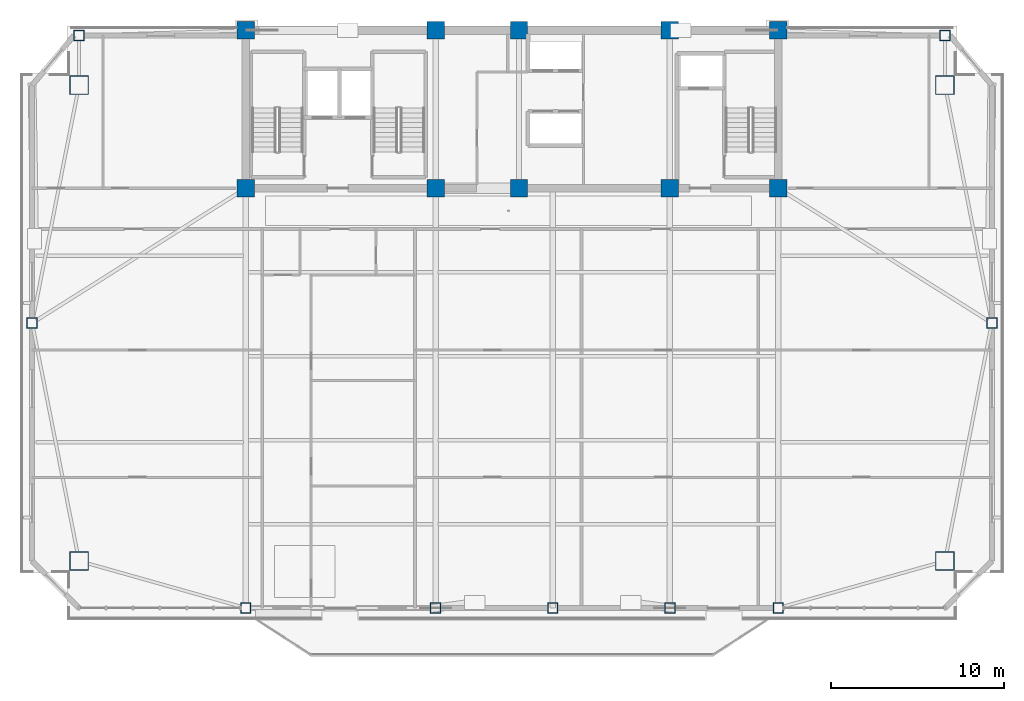
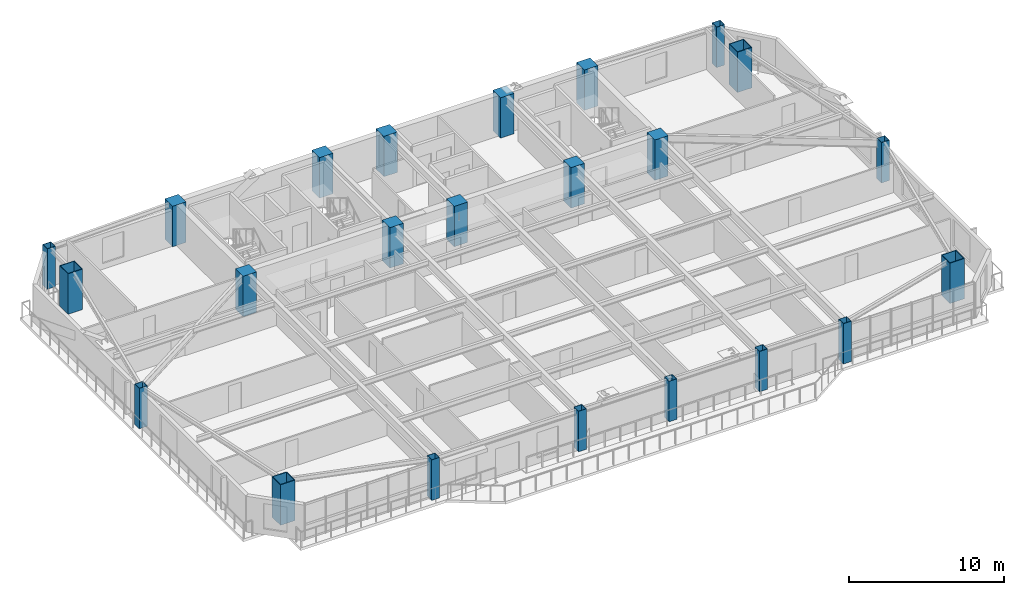
# One storey, part 1 of 16: 23 columns.
"""IFC4 building model written with IfcOpenShell, lengths in metres."""

from ifc_helpers import new_model, si_unit, direction, frame, origin, origin_2d, place, context, subcontext, project, spatial, rectangle, hollow_rectangle, extrude, source, transform, mapped, material, material_profile, profile_set, type_object, element, save


model = new_model("IFC4")

# Units and contexts
model_context = context("Model", 3, precision=1e-05, world=origin(), true_north=direction((0.0, 1.0)))
body_context = subcontext(model_context, "Body", "Model", "MODEL_VIEW")
ifc_project = project(units=[si_unit("LENGTHUNIT", "METRE"), si_unit("AREAUNIT", "SQUARE_METRE"), si_unit("VOLUMEUNIT", "CUBIC_METRE"), si_unit("PLANEANGLEUNIT", "RADIAN"), si_unit("MASSUNIT", "GRAM", prefix="KILO")], contexts=[model_context])

# Site, building, storey
site_placement = place(None, origin())
site = spatial("IfcSite", under=ifc_project, at=site_placement, CompositionType="ELEMENT")
building_placement = place(site_placement, origin())
building = spatial("IfcBuilding", under=site, at=building_placement, Name="Giltprow Tower", CompositionType="ELEMENT")
storey_placement = place(building_placement, frame((0.0, 0.0, 227.0)))
storey = spatial("IfcBuildingStorey", under=building, at=storey_placement, Name="L57", CompositionType="ELEMENT", Elevation=227.0)

# Columns
ifc_material_1 = material(Name="Concrete C50", Category="concrete")
ifc_material_profile_1 = material_profile(ifc_material_1, rectangle(XDim=1.0, YDim=1.0, at=origin_2d()), Name="RC 1000x1000")
ifc_profile_set_1 = profile_set([ifc_material_profile_1], Name="Concrete C50")
column_type_1 = type_object("IfcColumnType", Name="PIL-RC-1000-C50", PredefinedType="PILASTER", material=ifc_profile_set_1)
shared_shape_1 = source(origin(), body_context, "Body", "SweptSolid", [
    extrude(rectangle(XDim=1.0, YDim=1.0, at=origin_2d()), origin(), (0.0, 0.0, 1.0), 3.18505859375),
])
for number, where, z_axis, x_axis, name in (
    (1, (19.85009765625, 37.449951171875, 0.0), (0.0, 0.0, 1.0), (1.0, 0.0, 0.0), "L57 Core Boundary Pilaster 1-1"),
    (2, (19.85009765625, 46.550048828125, 0.0), (0.0, 0.0, 1.0), (1.0, 0.0, 0.0), "L57 Core Boundary Pilaster 1-2"),
    (3, (30.800048828125, 37.449951171875, 0.0), (0.0, 0.0, 1.0), (1.0, 0.0, 0.0), "L57 Core Boundary Pilaster 2-1"),
    (4, (30.800048828125, 46.550048828125, 0.0), (0.0, 0.0, 1.0), (1.0, 0.0, 0.0), "L57 Core Boundary Pilaster 2-2"),
    (5, (35.60009765625, 37.449951171875, 0.0), (0.0, 0.0, 1.0), (1.0, 0.0, 0.0), "L57 Core Boundary Pilaster 3-1"),
    (6, (35.60009765625, 46.550048828125, 0.0), (0.0, 0.0, 1.0), (1.0, 0.0, 0.0), "L57 Core Boundary Pilaster 3-2"),
    (7, (44.300048828125, 37.449951171875, 0.0), (0.0, 0.0, 1.0), (1.0, 0.0, 0.0), "L57 Core Boundary Pilaster 4-1"),
    (8, (44.300048828125, 46.550048828125, 0.0), (0.0, 0.0, 1.0), (1.0, 0.0, 0.0), "L57 Core Boundary Pilaster 4-2"),
    (9, (50.550048828125, 37.449951171875, 0.0), (0.0, 0.0, 1.0), (1.0, 0.0, 0.0), "L57 Core Boundary Pilaster 5-1"),
    (10, (50.550048828125, 46.550048828125, 0.0), (0.0, 0.0, 1.0), (1.0, 0.0, 0.0), "L57 Core Boundary Pilaster 5-2"),
):
    element("IfcColumn", number, at=place(storey_placement, frame(where, z_axis=z_axis, x_axis=x_axis)), inside=storey, type_object=column_type_1, Name=name, PredefinedType="PILASTER", context=body_context, shape_type="MappedRepresentation", body=[
        mapped(shared_shape_1, transform((0.0, 0.0, 0.0), x_axis=(1.0, 0.0, 0.0), y_axis=(0.0, 1.0, 0.0), z_axis=(0.0, 0.0, 1.0), scale=1.0)),
    ])
ifc_material_2 = material(Name="Structural steel Q420GJC", Category="steel")
ifc_material_profile_2 = material_profile(ifc_material_2, hollow_rectangle(XDim=1.10009765625, YDim=1.10009765625, WallThickness=0.050048828125, at=origin_2d()), Name="BOX 1100x1100x50")
ifc_profile_set_2 = profile_set([ifc_material_profile_2], Name="Structural steel Q420GJC")
column_type_2 = type_object("IfcColumnType", Name="COL-BOX-1100x1100x50", PredefinedType="COLUMN", material=ifc_profile_set_2)
shared_shape_2 = source(origin(), body_context, "Body", "SweptSolid", [
    extrude(hollow_rectangle(XDim=1.10009765625, YDim=1.10009765625, WallThickness=0.050048828125, at=origin_2d()), origin(), (0.0, 0.0, 1.0), 3.18505859375),
])
for number, where, z_axis, x_axis, name in (
    (11, (10.239990234375, 15.95703125, 0.0), (0.0, 0.0, 1.0), (1.0, 0.0, 0.0), "L57 Mega-Column MC_SW"),
    (12, (60.159912109375, 15.95703125, 0.0), (0.0, 0.0, 1.0), (1.0, 0.0, 0.0), "L57 Mega-Column MC_SE"),
    (13, (10.239990234375, 43.39306640625, 0.0), (0.0, 0.0, 1.0), (1.0, 0.0, 0.0), "L57 Mega-Column MC_NW"),
    (14, (60.159912109375, 43.39306640625, 0.0), (0.0, 0.0, 1.0), (1.0, 0.0, 0.0), "L57 Mega-Column MC_NE"),
):
    element("IfcColumn", number, at=place(storey_placement, frame(where, z_axis=z_axis, x_axis=x_axis)), inside=storey, type_object=column_type_2, Name=name, PredefinedType="COLUMN", context=body_context, shape_type="MappedRepresentation", body=[
        mapped(shared_shape_2, transform((0.0, 0.0, 0.0), x_axis=(1.0, 0.0, 0.0), y_axis=(0.0, 1.0, 0.0), z_axis=(0.0, 0.0, 1.0), scale=1.0)),
    ])
ifc_material_3 = material(Name="Structural steel Q355B", Category="steel")
ifc_material_profile_3 = material_profile(ifc_material_3, hollow_rectangle(XDim=0.60009765625, YDim=0.60009765625, WallThickness=0.028076171875, at=origin_2d()), Name="BOX 600x600x28")
ifc_profile_set_3 = profile_set([ifc_material_profile_3], Name="Structural steel Q355B")
column_type_3 = type_object("IfcColumnType", Name="COL-BOX-600x600x28", PredefinedType="COLUMN", material=ifc_profile_set_3)
shared_shape_3 = source(origin(), body_context, "Body", "SweptSolid", [
    extrude(hollow_rectangle(XDim=0.60009765625, YDim=0.60009765625, WallThickness=0.028076171875, at=origin_2d()), origin(), (0.0, 0.0, 1.0), 3.18505859375),
])
for number, where, z_axis, x_axis, name in (
    (15, (19.85009765625, 13.25, 0.0), (0.0, 0.0, 1.0), (1.0, 0.0, 0.0), "L57 Perimeter Column S1"),
    (16, (30.800048828125, 13.25, 0.0), (0.0, 0.0, 1.0), (1.0, 0.0, 0.0), "L57 Perimeter Column S2"),
    (17, (37.550048828125, 13.25, 0.0), (0.0, 0.0, 1.0), (1.0, 0.0, 0.0), "L57 Perimeter Column S_MID"),
    (18, (44.300048828125, 13.25, 0.0), (0.0, 0.0, 1.0), (1.0, 0.0, 0.0), "L57 Perimeter Column S3"),
    (19, (50.550048828125, 13.25, 0.0), (0.0, 0.0, 1.0), (1.0, 0.0, 0.0), "L57 Perimeter Column S4"),
    (20, (7.532958984375, 29.675048828125, 0.0), (0.0, 0.0, 1.0), (1.0, 0.0, 0.0), "L57 Perimeter Column W_MID"),
    (21, (62.866943359375, 29.675048828125, 0.0), (0.0, 0.0, 1.0), (1.0, 0.0, 0.0), "L57 Perimeter Column E_MID"),
    (22, (10.239990234375, 46.25, 0.0), (0.0, 0.0, 1.0), (1.0, 0.0, 0.0), "L57 Perimeter Column N_W"),
    (23, (60.159912109375, 46.25, 0.0), (0.0, 0.0, 1.0), (1.0, 0.0, 0.0), "L57 Perimeter Column N_E"),
):
    element("IfcColumn", number, at=place(storey_placement, frame(where, z_axis=z_axis, x_axis=x_axis)), inside=storey, type_object=column_type_3, Name=name, PredefinedType="COLUMN", context=body_context, shape_type="MappedRepresentation", body=[
        mapped(shared_shape_3, transform((0.0, 0.0, 0.0), x_axis=(1.0, 0.0, 0.0), y_axis=(0.0, 1.0, 0.0), z_axis=(0.0, 0.0, 1.0), scale=1.0)),
    ])

save(model, "model.ifc")
